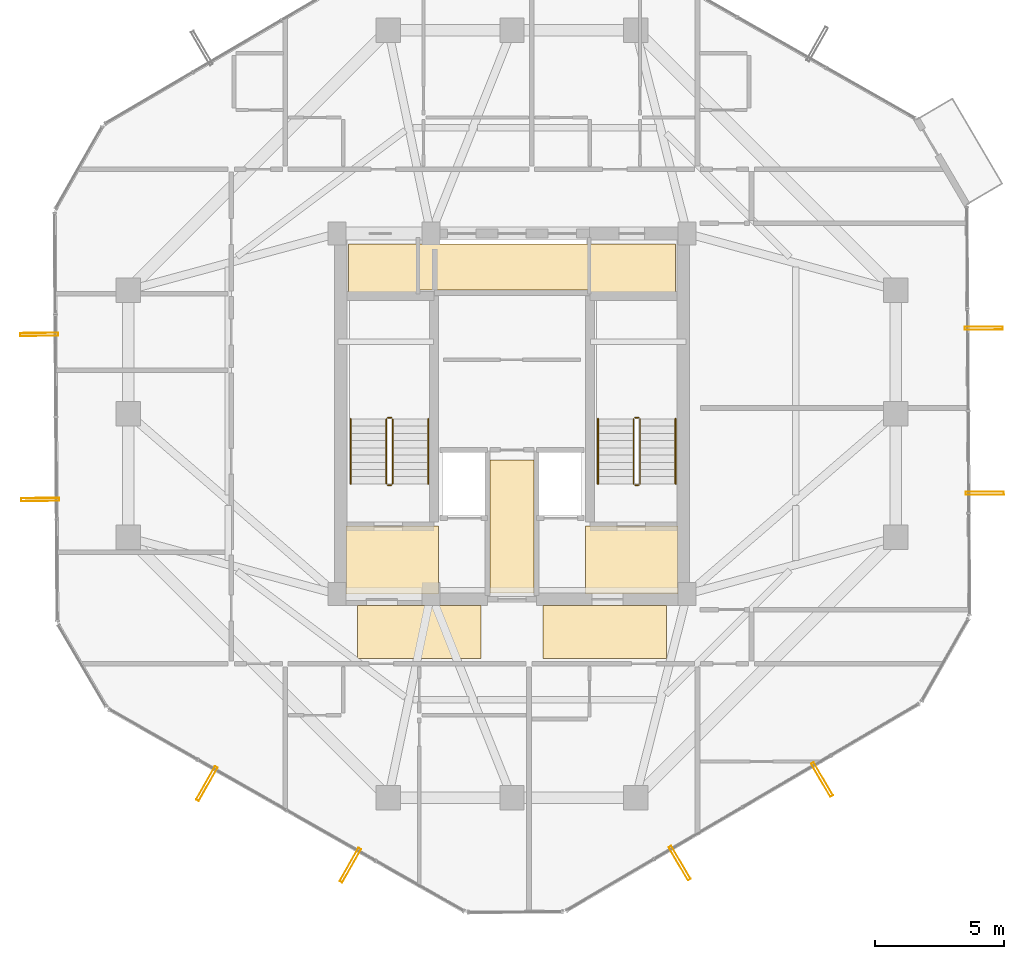
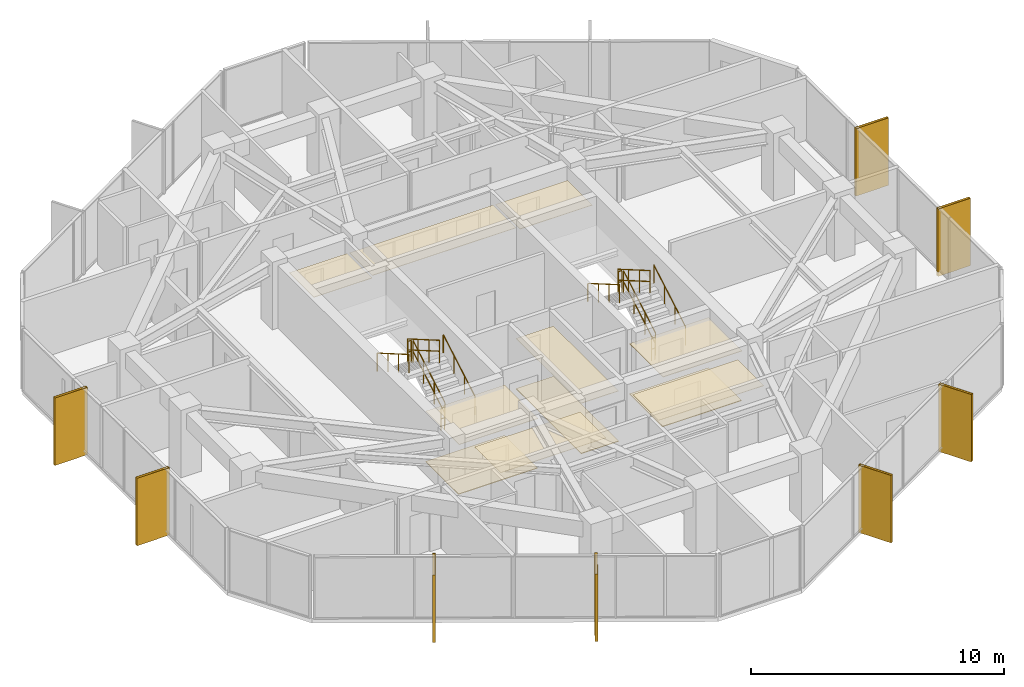
# One storey, part 30 of 31: 12 railings, 11 coverings, 8 shading devices.
"""IFC4 building model written with IfcOpenShell, lengths in metres."""

from ifc_helpers import new_model, si_unit, direction, frame, origin, origin_2d, place, context, subcontext, project, spatial, polyline, hollow_rectangle, circle, outline, extrude, material, layer, layer_set, material_profile, profile_set, type_object, element, save


model = new_model("IFC4")

# Units and contexts
model_context = context("Model", 3, precision=1e-05, world=origin(), true_north=direction((0.0, 1.0)))
body_context = subcontext(model_context, "Body", "Model", "MODEL_VIEW")
ifc_project = project(units=[si_unit("LENGTHUNIT", "METRE"), si_unit("AREAUNIT", "SQUARE_METRE"), si_unit("VOLUMEUNIT", "CUBIC_METRE"), si_unit("PLANEANGLEUNIT", "RADIAN"), si_unit("MASSUNIT", "GRAM", prefix="KILO")], contexts=[model_context])

# Site, building, storey
site_placement = place(None, origin())
site = spatial("IfcSite", under=ifc_project, at=site_placement, CompositionType="ELEMENT")
building_placement = place(site_placement, origin())
building = spatial("IfcBuilding", under=site, at=building_placement, Name="Veraguas Prism Commons", CompositionType="ELEMENT")
storey_placement = place(building_placement, frame((0.0, 0.0, 204.85009765625)))
storey = spatial("IfcBuildingStorey", under=building, at=storey_placement, Name="L58", CompositionType="ELEMENT", Elevation=204.85009765625)

# Shading devices
ifc_material_1 = material(Name="Anodised aluminium EN AW-6063 T6", Category="aluminium")
ifc_material_profile = material_profile(ifc_material_1, hollow_rectangle(XDim=0.1201171875, YDim=1.489990234375, WallThickness=0.006103515625, at=origin_2d()), Name="FIN120X1490X6")
ifc_profile_set = profile_set([ifc_material_profile], Name="Anodised aluminium EN AW-6063 T6")
shading_device_type = type_object("IfcShadingDeviceType", Name="Deep Pale-Metal Vertical Solar Fin 120x1490", PredefinedType="USERDEFINED", material=ifc_profile_set)
for number, where, z_axis, x_axis, name in (
    (1, (5.643798828125, 27.082763671875, -0.215087890625), (0.0, 0.0, 1.0), (0.006633947827, -0.999977995126, 0.0), "Vertical Pale-Metal Solar Fin L58-F3A"),
    (2, (5.686279296875, 20.674072265625, -0.215087890625), (0.0, 0.0, 1.0), (0.006633947827, -0.999977995126, 0.0), "Vertical Pale-Metal Solar Fin L58-F3B"),
    (3, (12.152099609375, 9.64453125, -0.215087890625), (0.0, 0.0, 1.0), (0.869321595676, -0.494246864726, 0.0), "Vertical Pale-Metal Solar Fin L58-F4A"),
    (4, (17.7236328125, 6.47705078125, -0.215087890625), (0.0, 0.0, 1.0), (0.869321595676, -0.494246864726, 0.0), "Vertical Pale-Metal Solar Fin L58-F4B"),
    (5, (30.50830078125, 6.561767578125, -0.215087890625), (0.0, 0.0, 1.0), (0.862689373091, 0.505734164908, 0.0), "Vertical Pale-Metal Solar Fin L58-F5A"),
    (6, (36.037109375, 9.802978515625, -0.215087890625), (0.0, 0.0, 1.0), (0.862689373091, 0.505734164908, 0.0), "Vertical Pale-Metal Solar Fin L58-F5B"),
    (7, (42.356201171875, 20.917236328125, -0.215087890625), (0.0, 0.0, 1.0), (-0.006633947827, 0.999977995126, 0.0), "Vertical Pale-Metal Solar Fin L58-F6A"),
    (8, (42.313720703125, 27.325927734375, -0.215087890625), (0.0, 0.0, 1.0), (-0.006633947827, 0.999977995126, 0.0), "Vertical Pale-Metal Solar Fin L58-F6B"),
):
    element("IfcShadingDevice", number, at=place(storey_placement, frame(where, z_axis=z_axis, x_axis=x_axis)), inside=storey, type_object=shading_device_type, Name=name, ObjectType="FIN", PredefinedType="USERDEFINED", context=body_context, shape_type="SweptSolid", body=[
        extrude(hollow_rectangle(XDim=0.1201171875, YDim=1.489990234375, WallThickness=0.006103515625, at=origin_2d()), origin(), (0.0, 0.0, 1.0), 3.25),
    ])

# Coverings
ifc_material_2 = material(Name="Acoustic gypsum board")
ifc_layer_1 = layer(ifc_material_2, 0.02490234375, Name="Perforated Acoustic Ceiling Tile 25")
ifc_layer_set_1 = layer_set([ifc_layer_1], Name="Acoustic gypsum board")
covering_type_1 = type_object("IfcCoveringType", Name="Perforated Acoustic Ceiling Tile 25", PredefinedType="USERDEFINED", material=ifc_layer_set_1)
covering_1_placement = place(storey_placement, frame((0.0, 0.0, 2.4248046875)))
element("IfcCovering", 9, at=covering_1_placement, inside=storey, type_object=covering_type_1, Name="East Lobby Acoustic Ceiling L58", ObjectType="ACOUSTIC CEILING", PredefinedType="USERDEFINED", context=body_context, shape_type="SweptSolid", body=[
    extrude(outline(polyline([(26.85009765625, 17.0), (30.449951171875, 17.0), (30.449951171875, 19.64990234375), (26.85009765625, 19.64990234375), (26.85009765625, 17.0)])), origin(), (0.0, 0.0, 1.0), 0.025146484375),
])
ifc_material_3 = material(Name="Terrazzo stone finish", Category="masonry")
ifc_layer_2 = layer(ifc_material_3, 0.030029296875, Name="Polished Terrazzo Floor Finish 30", Category="masonry")
ifc_layer_set_2 = layer_set([ifc_layer_2], Name="Terrazzo stone finish")
covering_type_2 = type_object("IfcCoveringType", Name="Polished Terrazzo Floor Finish 30", PredefinedType="FLOORING", material=ifc_layer_set_2)
covering_2_placement = place(storey_placement, origin())
element("IfcCovering", 10, at=covering_2_placement, inside=storey, type_object=covering_type_2, Name="Terrazzo Lobby Flooring L58", PredefinedType="FLOORING", context=body_context, shape_type="SweptSolid", body=[
    extrude(outline(polyline([(23.14990234375, 17.050048828125), (24.85009765625, 17.050048828125), (24.85009765625, 22.199951171875), (23.14990234375, 22.199951171875), (23.14990234375, 17.050048828125)])), origin(), (0.0, 0.0, 1.0), 0.02978515625),
])
covering_3_placement = place(storey_placement, origin())
element("IfcCovering", 11, at=covering_3_placement, inside=storey, type_object=covering_type_2, Name="West FF Lobby Terrazzo Flooring L58", PredefinedType="FLOORING", context=body_context, shape_type="SweptSolid", body=[
    extrude(outline(polyline([(17.550048828125, 17.050048828125), (21.14990234375, 17.050048828125), (21.14990234375, 19.64990234375), (17.550048828125, 19.64990234375), (17.550048828125, 17.050048828125)])), origin(), (0.0, 0.0, 1.0), 0.02978515625),
])
covering_4_placement = place(storey_placement, origin())
element("IfcCovering", 12, at=covering_4_placement, inside=storey, type_object=covering_type_2, Name="East FF Lobby Terrazzo Flooring L58", PredefinedType="FLOORING", context=body_context, shape_type="SweptSolid", body=[
    extrude(outline(polyline([(26.85009765625, 17.050048828125), (30.449951171875, 17.050048828125), (30.449951171875, 19.64990234375), (26.85009765625, 19.64990234375), (26.85009765625, 17.050048828125)])), origin(), (0.0, 0.0, 1.0), 0.02978515625),
])

# Railings
ifc_material_4 = material(Name="Stainless steel AISI 316", Category="steel")
railing_type_1 = type_object("IfcRailingType", Name="Stair and Ramp Stainless Handrail 900", PredefinedType="HANDRAIL", material=ifc_material_4)
railing_1_placement = place(storey_placement, frame((20.75, 21.280029296875, 0.162353515625)))
element("IfcRailing", 13, at=railing_1_placement, inside=storey, type_object=railing_type_1, Name="Stair Handrail ST-01 L58-1", PredefinedType="HANDRAIL", context=body_context, shape_type="SweptSolid", body=[
    extrude(circle(Radius=0.02392578125, at=origin_2d()), frame((0.0, 0.0, 0.8759765625), z_axis=(0.0, 0.864876961378, 0.501983905795), x_axis=(-1.0, 0.0, 0.0)), (0.0, 0.0, 1.0), 2.913818359375),
    extrude(circle(Radius=0.02099609375, at=origin_2d()), origin(), (0.0, 0.0, 1.0), 0.851806640625),
    extrude(circle(Radius=0.02099609375, at=origin_2d()), frame((0.0, 0.840087890625, 0.487548828125)), (0.0, 0.0, 1.0), 0.851806640625),
    extrude(circle(Radius=0.02099609375, at=origin_2d()), frame((0.0, 1.679931640625, 0.97509765625)), (0.0, 0.0, 1.0), 0.851806640625),
    extrude(circle(Radius=0.02099609375, at=origin_2d()), frame((0.0, 2.52001953125, 1.462646484375)), (0.0, 0.0, 1.0), 0.851806640625),
])
railing_2_placement = place(storey_placement, frame((17.739990234375, 23.800048828125, 1.787353515625)))
element("IfcRailing", 14, at=railing_2_placement, inside=storey, type_object=railing_type_1, Name="Stair Handrail ST-01 L58-2", PredefinedType="HANDRAIL", context=body_context, shape_type="SweptSolid", body=[
    extrude(circle(Radius=0.02392578125, at=origin_2d()), frame((0.0, 0.0, 0.8759765625), z_axis=(0.0, -0.864876961378, 0.501983905795), x_axis=(1.0, 0.0, 0.0)), (0.0, 0.0, 1.0), 2.913818359375),
    extrude(circle(Radius=0.02099609375, at=origin_2d()), origin(), (0.0, 0.0, 1.0), 0.851806640625),
    extrude(circle(Radius=0.02099609375, at=origin_2d()), frame((0.0, -0.840087890625, 0.487548828125)), (0.0, 0.0, 1.0), 0.851806640625),
    extrude(circle(Radius=0.02099609375, at=origin_2d()), frame((0.0, -1.679931640625, 0.97509765625)), (0.0, 0.0, 1.0), 0.851806640625),
    extrude(circle(Radius=0.02099609375, at=origin_2d()), frame((0.0, -2.52001953125, 1.462646484375)), (0.0, 0.0, 1.0), 0.851806640625),
])
railing_3_placement = place(storey_placement, frame((30.35009765625, 21.280029296875, 0.162353515625)))
element("IfcRailing", 15, at=railing_3_placement, inside=storey, type_object=railing_type_1, Name="Stair Handrail ST-02 L58-1", PredefinedType="HANDRAIL", context=body_context, shape_type="SweptSolid", body=[
    extrude(circle(Radius=0.02392578125, at=origin_2d()), frame((0.0, 0.0, 0.8759765625), z_axis=(0.0, 0.864876961378, 0.501983905795), x_axis=(-1.0, 0.0, 0.0)), (0.0, 0.0, 1.0), 2.913818359375),
    extrude(circle(Radius=0.02099609375, at=origin_2d()), origin(), (0.0, 0.0, 1.0), 0.851806640625),
    extrude(circle(Radius=0.02099609375, at=origin_2d()), frame((0.0, 0.840087890625, 0.487548828125)), (0.0, 0.0, 1.0), 0.851806640625),
    extrude(circle(Radius=0.02099609375, at=origin_2d()), frame((0.0, 1.679931640625, 0.97509765625)), (0.0, 0.0, 1.0), 0.851806640625),
    extrude(circle(Radius=0.02099609375, at=origin_2d()), frame((0.0, 2.52001953125, 1.462646484375)), (0.0, 0.0, 1.0), 0.851806640625),
])
railing_4_placement = place(storey_placement, frame((27.340087890625, 23.800048828125, 1.787353515625)))
element("IfcRailing", 16, at=railing_4_placement, inside=storey, type_object=railing_type_1, Name="Stair Handrail ST-02 L58-2", PredefinedType="HANDRAIL", context=body_context, shape_type="SweptSolid", body=[
    extrude(circle(Radius=0.02392578125, at=origin_2d()), frame((0.0, 0.0, 0.8759765625), z_axis=(0.0, -0.864876961378, 0.501983905795), x_axis=(1.0, 0.0, 0.0)), (0.0, 0.0, 1.0), 2.913818359375),
    extrude(circle(Radius=0.02099609375, at=origin_2d()), origin(), (0.0, 0.0, 1.0), 0.851806640625),
    extrude(circle(Radius=0.02099609375, at=origin_2d()), frame((0.0, -0.840087890625, 0.487548828125)), (0.0, 0.0, 1.0), 0.851806640625),
    extrude(circle(Radius=0.02099609375, at=origin_2d()), frame((0.0, -1.679931640625, 0.97509765625)), (0.0, 0.0, 1.0), 0.851806640625),
    extrude(circle(Radius=0.02099609375, at=origin_2d()), frame((0.0, -2.52001953125, 1.462646484375)), (0.0, 0.0, 1.0), 0.851806640625),
])
railing_type_2 = type_object("IfcRailingType", Name="Stairwell Safety Guardrail 1100", PredefinedType="GUARDRAIL", material=ifc_material_4)
railing_5_placement = place(storey_placement, frame((19.3701171875, 21.280029296875, 0.162353515625)))
element("IfcRailing", 17, at=railing_5_placement, inside=storey, type_object=railing_type_2, Name="Stair Guard ST-01 L58-1", PredefinedType="GUARDRAIL", context=body_context, shape_type="SweptSolid", body=[
    extrude(circle(Radius=0.02392578125, at=origin_2d()), frame((0.0, 0.0, 1.076171875), z_axis=(0.0, 0.864876961378, 0.501983905795), x_axis=(-1.0, 0.0, 0.0)), (0.0, 0.0, 1.0), 2.913818359375),
    extrude(circle(Radius=0.02392578125, at=origin_2d()), frame((0.0, 0.0, 0.550048828125), z_axis=(0.0, 0.864876961378, 0.501983905795), x_axis=(-1.0, 0.0, 0.0)), (0.0, 0.0, 1.0), 2.913818359375),
    extrude(circle(Radius=0.02099609375, at=origin_2d()), origin(), (0.0, 0.0, 1.0), 1.052001953125),
    extrude(circle(Radius=0.02099609375, at=origin_2d()), frame((0.0, 0.840087890625, 0.487548828125)), (0.0, 0.0, 1.0), 1.052001953125),
    extrude(circle(Radius=0.02099609375, at=origin_2d()), frame((0.0, 1.679931640625, 0.97509765625)), (0.0, 0.0, 1.0), 1.052001953125),
    extrude(circle(Radius=0.02099609375, at=origin_2d()), frame((0.0, 2.52001953125, 1.462646484375)), (0.0, 0.0, 1.0), 1.052001953125),
])
railing_6_placement = place(storey_placement, frame((19.320068359375, 23.85009765625, 1.625)))
element("IfcRailing", 18, at=railing_6_placement, inside=storey, type_object=railing_type_2, Name="Stair Guard ST-01 L58-2", PredefinedType="GUARDRAIL", context=body_context, shape_type="SweptSolid", body=[
    extrude(circle(Radius=0.02392578125, at=origin_2d()), frame((0.0, 0.0, 1.076171875), z_axis=(-1.0, 0.0, 0.0), x_axis=(0.0, -1.0, 0.0)), (0.0, 0.0, 1.0), 0.150146484375),
    extrude(circle(Radius=0.02392578125, at=origin_2d()), frame((0.0, 0.0, 0.550048828125), z_axis=(-1.0, 0.0, 0.0), x_axis=(0.0, -1.0, 0.0)), (0.0, 0.0, 1.0), 0.150146484375),
    extrude(circle(Radius=0.02099609375, at=origin_2d()), origin(), (0.0, 0.0, 1.0), 1.052001953125),
    extrude(circle(Radius=0.02099609375, at=origin_2d()), frame((-0.150146484375, 0.0, 0.0)), (0.0, 0.0, 1.0), 1.052001953125),
])
railing_7_placement = place(storey_placement, frame((19.1201171875, 23.800048828125, 1.787353515625)))
element("IfcRailing", 19, at=railing_7_placement, inside=storey, type_object=railing_type_2, Name="Stair Guard ST-01 L58-3", PredefinedType="GUARDRAIL", context=body_context, shape_type="SweptSolid", body=[
    extrude(circle(Radius=0.02392578125, at=origin_2d()), frame((0.0, 0.0, 1.076171875), z_axis=(0.0, -0.864876961378, 0.501983905795), x_axis=(1.0, 0.0, 0.0)), (0.0, 0.0, 1.0), 2.913818359375),
    extrude(circle(Radius=0.02392578125, at=origin_2d()), frame((0.0, 0.0, 0.550048828125), z_axis=(0.0, -0.864876961378, 0.501983905795), x_axis=(1.0, 0.0, 0.0)), (0.0, 0.0, 1.0), 2.913818359375),
    extrude(circle(Radius=0.02099609375, at=origin_2d()), origin(), (0.0, 0.0, 1.0), 1.052001953125),
    extrude(circle(Radius=0.02099609375, at=origin_2d()), frame((0.0, -0.840087890625, 0.487548828125)), (0.0, 0.0, 1.0), 1.052001953125),
    extrude(circle(Radius=0.02099609375, at=origin_2d()), frame((0.0, -1.679931640625, 0.97509765625)), (0.0, 0.0, 1.0), 1.052001953125),
    extrude(circle(Radius=0.02099609375, at=origin_2d()), frame((0.0, -2.52001953125, 1.462646484375)), (0.0, 0.0, 1.0), 1.052001953125),
])
railing_8_placement = place(storey_placement, frame((19.320068359375, 21.22998046875, 0.0)))
element("IfcRailing", 20, at=railing_8_placement, inside=storey, type_object=railing_type_2, Name="Stair Guard ST-01 L58-4", PredefinedType="GUARDRAIL", context=body_context, shape_type="SweptSolid", body=[
    extrude(circle(Radius=0.02392578125, at=origin_2d()), frame((0.0, 0.0, 1.076171875), z_axis=(-1.0, 0.0, 0.0), x_axis=(0.0, -1.0, 0.0)), (0.0, 0.0, 1.0), 0.150146484375),
    extrude(circle(Radius=0.02392578125, at=origin_2d()), frame((0.0, 0.0, 0.550048828125), z_axis=(-1.0, 0.0, 0.0), x_axis=(0.0, -1.0, 0.0)), (0.0, 0.0, 1.0), 0.150146484375),
    extrude(circle(Radius=0.02099609375, at=origin_2d()), origin(), (0.0, 0.0, 1.0), 1.052001953125),
    extrude(circle(Radius=0.02099609375, at=origin_2d()), frame((-0.150146484375, 0.0, 0.0)), (0.0, 0.0, 1.0), 1.052001953125),
])
railing_9_placement = place(storey_placement, frame((28.969970703125, 21.280029296875, 0.162353515625)))
element("IfcRailing", 21, at=railing_9_placement, inside=storey, type_object=railing_type_2, Name="Stair Guard ST-02 L58-1", PredefinedType="GUARDRAIL", context=body_context, shape_type="SweptSolid", body=[
    extrude(circle(Radius=0.02392578125, at=origin_2d()), frame((0.0, 0.0, 1.076171875), z_axis=(0.0, 0.864876961378, 0.501983905795), x_axis=(-1.0, 0.0, 0.0)), (0.0, 0.0, 1.0), 2.913818359375),
    extrude(circle(Radius=0.02392578125, at=origin_2d()), frame((0.0, 0.0, 0.550048828125), z_axis=(0.0, 0.864876961378, 0.501983905795), x_axis=(-1.0, 0.0, 0.0)), (0.0, 0.0, 1.0), 2.913818359375),
    extrude(circle(Radius=0.02099609375, at=origin_2d()), origin(), (0.0, 0.0, 1.0), 1.052001953125),
    extrude(circle(Radius=0.02099609375, at=origin_2d()), frame((0.0, 0.840087890625, 0.487548828125)), (0.0, 0.0, 1.0), 1.052001953125),
    extrude(circle(Radius=0.02099609375, at=origin_2d()), frame((0.0, 1.679931640625, 0.97509765625)), (0.0, 0.0, 1.0), 1.052001953125),
    extrude(circle(Radius=0.02099609375, at=origin_2d()), frame((0.0, 2.52001953125, 1.462646484375)), (0.0, 0.0, 1.0), 1.052001953125),
])
railing_10_placement = place(storey_placement, frame((28.919921875, 23.85009765625, 1.625)))
element("IfcRailing", 22, at=railing_10_placement, inside=storey, type_object=railing_type_2, Name="Stair Guard ST-02 L58-2", PredefinedType="GUARDRAIL", context=body_context, shape_type="SweptSolid", body=[
    extrude(circle(Radius=0.02392578125, at=origin_2d()), frame((0.0, 0.0, 1.076171875), z_axis=(-1.0, 0.0, 0.0), x_axis=(0.0, -1.0, 0.0)), (0.0, 0.0, 1.0), 0.14990234375),
    extrude(circle(Radius=0.02392578125, at=origin_2d()), frame((0.0, 0.0, 0.550048828125), z_axis=(-1.0, 0.0, 0.0), x_axis=(0.0, -1.0, 0.0)), (0.0, 0.0, 1.0), 0.14990234375),
    extrude(circle(Radius=0.02099609375, at=origin_2d()), origin(), (0.0, 0.0, 1.0), 1.052001953125),
    extrude(circle(Radius=0.02099609375, at=origin_2d()), frame((-0.14990234375, 0.0, 0.0)), (0.0, 0.0, 1.0), 1.052001953125),
])
railing_11_placement = place(storey_placement, frame((28.719970703125, 23.800048828125, 1.787353515625)))
element("IfcRailing", 23, at=railing_11_placement, inside=storey, type_object=railing_type_2, Name="Stair Guard ST-02 L58-3", PredefinedType="GUARDRAIL", context=body_context, shape_type="SweptSolid", body=[
    extrude(circle(Radius=0.02392578125, at=origin_2d()), frame((0.0, 0.0, 1.076171875), z_axis=(0.0, -0.864876961378, 0.501983905795), x_axis=(1.0, 0.0, 0.0)), (0.0, 0.0, 1.0), 2.913818359375),
    extrude(circle(Radius=0.02392578125, at=origin_2d()), frame((0.0, 0.0, 0.550048828125), z_axis=(0.0, -0.864876961378, 0.501983905795), x_axis=(1.0, 0.0, 0.0)), (0.0, 0.0, 1.0), 2.913818359375),
    extrude(circle(Radius=0.02099609375, at=origin_2d()), origin(), (0.0, 0.0, 1.0), 1.052001953125),
    extrude(circle(Radius=0.02099609375, at=origin_2d()), frame((0.0, -0.840087890625, 0.487548828125)), (0.0, 0.0, 1.0), 1.052001953125),
    extrude(circle(Radius=0.02099609375, at=origin_2d()), frame((0.0, -1.679931640625, 0.97509765625)), (0.0, 0.0, 1.0), 1.052001953125),
    extrude(circle(Radius=0.02099609375, at=origin_2d()), frame((0.0, -2.52001953125, 1.462646484375)), (0.0, 0.0, 1.0), 1.052001953125),
])
railing_12_placement = place(storey_placement, frame((28.919921875, 21.22998046875, 0.0)))
element("IfcRailing", 24, at=railing_12_placement, inside=storey, type_object=railing_type_2, Name="Stair Guard ST-02 L58-4", PredefinedType="GUARDRAIL", context=body_context, shape_type="SweptSolid", body=[
    extrude(circle(Radius=0.02392578125, at=origin_2d()), frame((0.0, 0.0, 1.076171875), z_axis=(-1.0, 0.0, 0.0), x_axis=(0.0, -1.0, 0.0)), (0.0, 0.0, 1.0), 0.14990234375),
    extrude(circle(Radius=0.02392578125, at=origin_2d()), frame((0.0, 0.0, 0.550048828125), z_axis=(-1.0, 0.0, 0.0), x_axis=(0.0, -1.0, 0.0)), (0.0, 0.0, 1.0), 0.14990234375),
    extrude(circle(Radius=0.02099609375, at=origin_2d()), origin(), (0.0, 0.0, 1.0), 1.052001953125),
    extrude(circle(Radius=0.02099609375, at=origin_2d()), frame((-0.14990234375, 0.0, 0.0)), (0.0, 0.0, 1.0), 1.052001953125),
])

# Coverings
ifc_layer_3 = layer(ifc_material_2, 0.02001953125, Name="Suspended Gypsum Ceiling 20")
ifc_layer_set_3 = layer_set([ifc_layer_3], Name="Acoustic gypsum board")
covering_type_3 = type_object("IfcCoveringType", Name="Suspended Gypsum Ceiling 20", PredefinedType="CEILING", material=ifc_layer_set_3)
covering_5_placement = place(storey_placement, frame((0.0, 0.0, 2.429931640625)))
element("IfcCovering", 25, at=covering_5_placement, inside=storey, type_object=covering_type_3, Name="West Lobby Suspended Gypsum Ceiling L58", PredefinedType="CEILING", context=body_context, shape_type="SweptSolid", body=[
    extrude(outline(polyline([(17.550048828125, 17.0), (21.14990234375, 17.0), (21.14990234375, 19.64990234375), (17.550048828125, 19.64990234375), (17.550048828125, 17.0)])), origin(), (0.0, 0.0, 1.0), 0.02001953125),
])
covering_6_placement = place(storey_placement, frame((0.0, 0.0, 2.429931640625)))
element("IfcCovering", 26, at=covering_6_placement, inside=storey, type_object=covering_type_3, Name="Core Lobby Acoustic Ceiling L58-1", PredefinedType="CEILING", context=body_context, shape_type="SweptSolid", body=[
    extrude(outline(polyline([(18.0, 14.5), (22.800048828125, 14.5), (22.800048828125, 16.550048828125), (18.0, 16.550048828125), (18.0, 14.5)])), origin(), (0.0, 0.0, 1.0), 0.02001953125),
])
covering_7_placement = place(storey_placement, frame((0.0, 0.0, 2.429931640625)))
element("IfcCovering", 27, at=covering_7_placement, inside=storey, type_object=covering_type_3, Name="Core Lobby Acoustic Ceiling L58-2", PredefinedType="CEILING", context=body_context, shape_type="SweptSolid", body=[
    extrude(outline(polyline([(25.199951171875, 14.5), (30.0, 14.5), (30.0, 16.550048828125), (25.199951171875, 16.550048828125), (25.199951171875, 14.5)])), origin(), (0.0, 0.0, 1.0), 0.02001953125),
])
covering_8_placement = place(storey_placement, frame((0.0, 0.0, 2.429931640625)))
element("IfcCovering", 28, at=covering_8_placement, inside=storey, type_object=covering_type_3, Name="Core Lobby Acoustic Ceiling L58-3", PredefinedType="CEILING", context=body_context, shape_type="SweptSolid", body=[
    extrude(outline(polyline([(23.14990234375, 17.050048828125), (24.85009765625, 17.050048828125), (24.85009765625, 22.199951171875), (23.14990234375, 22.199951171875), (23.14990234375, 17.050048828125)])), origin(), (0.0, 0.0, 1.0), 0.02001953125),
])
covering_9_placement = place(storey_placement, frame((0.0, 0.0, 2.429931640625)))
element("IfcCovering", 29, at=covering_9_placement, inside=storey, type_object=covering_type_3, Name="Core Lobby Acoustic Ceiling L58-4", PredefinedType="CEILING", context=body_context, shape_type="SweptSolid", body=[
    extrude(outline(polyline([(17.64990234375, 28.64990234375), (20.300048828125, 28.64990234375), (20.300048828125, 30.60009765625), (17.64990234375, 30.60009765625), (17.64990234375, 28.64990234375)])), origin(), (0.0, 0.0, 1.0), 0.02001953125),
])
covering_10_placement = place(storey_placement, frame((0.0, 0.0, 2.429931640625)))
element("IfcCovering", 30, at=covering_10_placement, inside=storey, type_object=covering_type_3, Name="Core Lobby Acoustic Ceiling L58-5", PredefinedType="CEILING", context=body_context, shape_type="SweptSolid", body=[
    extrude(outline(polyline([(27.050048828125, 28.64990234375), (30.35009765625, 28.64990234375), (30.35009765625, 30.60009765625), (27.050048828125, 30.60009765625), (27.050048828125, 28.64990234375)])), origin(), (0.0, 0.0, 1.0), 0.02001953125),
])
covering_11_placement = place(storey_placement, frame((0.0, 0.0, 2.429931640625)))
element("IfcCovering", 31, at=covering_11_placement, inside=storey, type_object=covering_type_3, Name="Core Lobby Acoustic Ceiling L58-6", PredefinedType="CEILING", context=body_context, shape_type="SweptSolid", body=[
    extrude(outline(polyline([(20.39990234375, 28.800048828125), (26.949951171875, 28.800048828125), (26.949951171875, 30.60009765625), (20.39990234375, 30.60009765625), (20.39990234375, 28.800048828125)])), origin(), (0.0, 0.0, 1.0), 0.02001953125),
])

save(model, "model.ifc")
